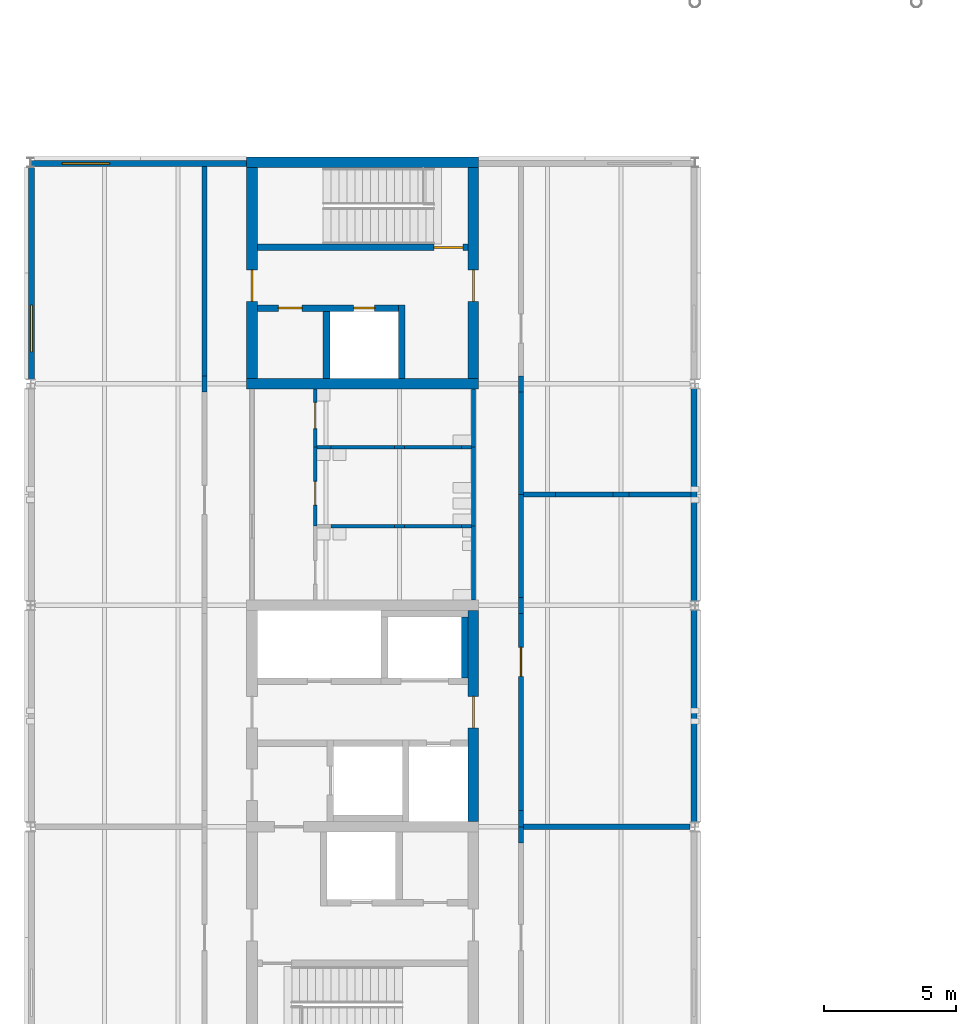
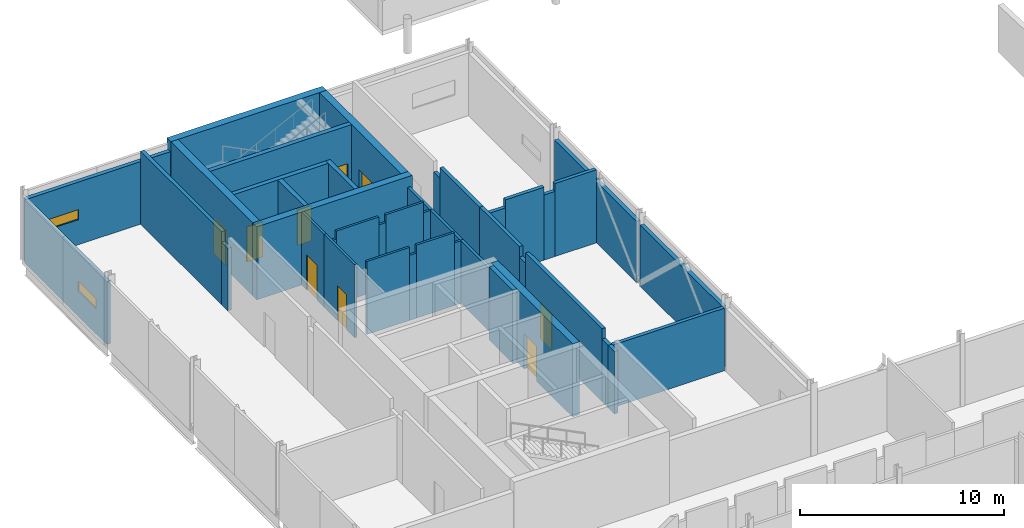
# One storey, part 42 of 72: 42 walls, 9 doors, 2 windows, 11 openings.
"""IFC4 building model written with IfcOpenShell, lengths in metres."""

from ifc_helpers import new_model, si_unit, direction, frame, frame_2d, origin, place, context, subcontext, project, spatial, rectangle, extrude, material, layer, layer_set, type_object, element, fill, save


model = new_model("IFC4")

# Units and contexts
model_context = context("Model", 3, precision=1e-05, world=origin(), true_north=direction((0.0, 1.0)))
body_context = subcontext(model_context, "Body", "Model", "MODEL_VIEW")
ifc_project = project(units=[si_unit("LENGTHUNIT", "METRE"), si_unit("AREAUNIT", "SQUARE_METRE"), si_unit("VOLUMEUNIT", "CUBIC_METRE"), si_unit("PLANEANGLEUNIT", "RADIAN"), si_unit("MASSUNIT", "GRAM", prefix="KILO")], contexts=[model_context])

# Site, building, storey
site_placement = place(None, origin())
site = spatial("IfcSite", under=ifc_project, at=site_placement, CompositionType="ELEMENT")
building_placement = place(site_placement, origin())
building = spatial("IfcBuilding", under=site, at=building_placement, Name="Hlaing Beacon Police Headquarters", CompositionType="ELEMENT")
storey_placement = place(building_placement, frame((0.0, 0.0, 14.39990234375)))
storey = spatial("IfcBuildingStorey", under=building, at=storey_placement, Name="L03", CompositionType="ELEMENT", Elevation=14.39990234375)

# Wall, opening, door
ifc_material_1 = material(Name="Concrete C60/75", Category="concrete")
ifc_layer_1 = layer(ifc_material_1, 0.39990234375)
ifc_layer_set_1 = layer_set([ifc_layer_1], Name="Concrete C60/75")
wall_type_1 = type_object("IfcWallType", Name="Core shear wall 400", PredefinedType="SHEAR", material=ifc_layer_set_1)
wall_1_placement = place(storey_placement, frame((25.199951171875, 42.199951171875, 0.0), z_axis=(0.0, 0.0, 1.0), x_axis=(0.0, 1.0, 0.0)))
wall_1 = element("IfcWall", 1, at=wall_1_placement, inside=storey, type_object=wall_type_1, Name="Core shear wall", PredefinedType="SHEAR", context=body_context, shape_type="SweptSolid", body=[
    extrude(rectangle(XDim=8.0, YDim=0.39990234375, at=frame_2d((4.0, 0.0))), origin(), (0.0, 0.0, 1.0), 4.3701171875),
])
opening_1_placement = place(wall_1_placement, frame((3.550048828125, 0.0, 0.0)))
opening_1 = element("IfcOpeningElement", 2, at=opening_1_placement, cuts=wall_1, Name="Opening L03-923", PredefinedType="OPENING", context=body_context, shape_type="SweptSolid", body=[
    extrude(rectangle(XDim=1.199951171875, YDim=2.10009765625, at=frame_2d((0.60009765625, 1.050048828125))), frame((0.0, 0.2099609375, 0.0), z_axis=(0.0, -1.0, 0.0), x_axis=(1.0, 0.0, 0.0)), (0.0, 0.0, 1.0), 0.419921875),
])
ifc_material_2 = material(Name="Steel fire door leaf", Category="steel")
ifc_layer_2 = layer(ifc_material_2, 0.070068359375)
ifc_layer_set_2 = layer_set([ifc_layer_2], Name="Steel fire door leaf")
door_type_1 = type_object("IfcDoorType", Name="Steel fire door FD60S 1200x2100", OperationType="SINGLE_SWING_LEFT", PredefinedType="DOOR", material=ifc_layer_set_2)
door_1_placement = place(opening_1_placement, origin())
door_1 = element("IfcDoor", 3, at=door_1_placement, inside=storey, type_object=door_type_1, Name="Door Lift Lobby Entry", OperationType="SINGLE_SWING_LEFT", OverallHeight=2.10009765625, OverallWidth=1.199951171875, PredefinedType="DOOR", context=body_context, shape_type="SweptSolid", body=[
    extrude(rectangle(XDim=1.199951171875, YDim=2.10009765625, at=frame_2d((0.60009765625, 1.050048828125))), frame((0.0, 0.03515625, 0.0), z_axis=(0.0, -1.0, 0.0), x_axis=(1.0, 0.0, 0.0)), (0.0, 0.0, 1.0), 0.070068359375),
])
fill(opening_1, door_1)

# Walls
for number, where, z_axis, x_axis, name in (
    (4, (16.60009765625, 58.800048828125, 0.0), (0.0, 0.0, 1.0), (1.0, 0.0, 0.0), "Core shear wall"),
    (5, (16.60009765625, 67.199951171875, 0.0), (0.0, 0.0, 1.0), (1.0, 0.0, 0.0), "Core shear wall"),
):
    element("IfcWall", number, at=place(storey_placement, frame(where, z_axis=z_axis, x_axis=x_axis)), inside=storey, type_object=wall_type_1, Name=name, PredefinedType="SHEAR", context=body_context, shape_type="SweptSolid", body=[
        extrude(rectangle(XDim=8.7998046875, YDim=0.39990234375, at=frame_2d((4.39990234375, 0.0))), origin(), (0.0, 0.0, 1.0), 4.3701171875),
    ])

# Wall, opening, door
wall_2_placement = place(storey_placement, frame((16.800048828125, 59.0, 0.0), z_axis=(0.0, 0.0, 1.0), x_axis=(0.0, 1.0, 0.0)))
wall_2 = element("IfcWall", 6, at=wall_2_placement, inside=storey, type_object=wall_type_1, Name="Core shear wall", PredefinedType="SHEAR", context=body_context, shape_type="SweptSolid", body=[
    extrude(rectangle(XDim=8.0, YDim=0.39990234375, at=frame_2d((4.0, 0.0))), origin(), (0.0, 0.0, 1.0), 4.3701171875),
])
opening_2_placement = place(wall_2_placement, frame((2.925048828125, 0.0, 0.0)))
opening_2 = element("IfcOpeningElement", 7, at=opening_2_placement, cuts=wall_2, Name="Opening L03-929", PredefinedType="OPENING", context=body_context, shape_type="SweptSolid", body=[
    extrude(rectangle(XDim=1.199951171875, YDim=2.10009765625, at=frame_2d((0.60009765625, 1.050048828125))), frame((0.0, 0.2099609375, 0.0), z_axis=(0.0, -1.0, 0.0), x_axis=(1.0, 0.0, 0.0)), (0.0, 0.0, 1.0), 0.419921875),
])
door_2_placement = place(opening_2_placement, frame((1.199951171875, 0.0, 0.0), z_axis=(0.0, 0.0, 1.0), x_axis=(-1.0, 0.0, 0.0)))
door_2 = element("IfcDoor", 8, at=door_2_placement, inside=storey, type_object=door_type_1, Name="Door Stair Lobby ST-P Entry", OperationType="SINGLE_SWING_LEFT", OverallHeight=2.10009765625, OverallWidth=1.199951171875, PredefinedType="DOOR", context=body_context, shape_type="SweptSolid", body=[
    extrude(rectangle(XDim=1.199951171875, YDim=2.10009765625, at=frame_2d((0.599853515625, 1.050048828125))), frame((0.0, 0.034912109375, 0.0), z_axis=(0.0, -1.0, 0.0), x_axis=(1.0, 0.0, 0.0)), (0.0, 0.0, 1.0), 0.070068359375),
])
fill(opening_2, door_2)

wall_3_placement = place(storey_placement, frame((25.199951171875, 59.0, 0.0), z_axis=(0.0, 0.0, 1.0), x_axis=(0.0, 1.0, 0.0)))
wall_3 = element("IfcWall", 9, at=wall_3_placement, inside=storey, type_object=wall_type_1, Name="Core shear wall", PredefinedType="SHEAR", context=body_context, shape_type="SweptSolid", body=[
    extrude(rectangle(XDim=8.0, YDim=0.39990234375, at=frame_2d((4.0, 0.0))), origin(), (0.0, 0.0, 1.0), 4.3701171875),
])
opening_3_placement = place(wall_3_placement, frame((2.925048828125, 0.0, 0.0)))
opening_3 = element("IfcOpeningElement", 10, at=opening_3_placement, cuts=wall_3, Name="Opening L03-930", PredefinedType="OPENING", context=body_context, shape_type="SweptSolid", body=[
    extrude(rectangle(XDim=1.199951171875, YDim=2.10009765625, at=frame_2d((0.60009765625, 1.050048828125))), frame((0.0, 0.2099609375, 0.0), z_axis=(0.0, -1.0, 0.0), x_axis=(1.0, 0.0, 0.0)), (0.0, 0.0, 1.0), 0.419921875),
])
door_3_placement = place(opening_3_placement, origin())
door_3 = element("IfcDoor", 11, at=door_3_placement, inside=storey, type_object=door_type_1, Name="Door Stair Lobby ST-P Entry", OperationType="SINGLE_SWING_RIGHT", OverallHeight=2.10009765625, OverallWidth=1.199951171875, PredefinedType="DOOR", context=body_context, shape_type="SweptSolid", body=[
    extrude(rectangle(XDim=1.199951171875, YDim=2.10009765625, at=frame_2d((0.60009765625, 1.050048828125))), frame((0.0, 0.03515625, 0.0), z_axis=(0.0, -1.0, 0.0), x_axis=(1.0, 0.0, 0.0)), (0.0, 0.0, 1.0), 0.070068359375),
])
fill(opening_3, door_3)

# Walls
ifc_material_3 = material(Name="Gypsum board partition")
ifc_layer_3 = layer(ifc_material_3, 0.14990234375)
ifc_layer_set_3 = layer_set([ifc_layer_3], Name="Gypsum board partition")
wall_type_2 = type_object("IfcWallType", Name="Corridor wall EI 30 150", PredefinedType="PARTITIONING", material=ifc_layer_set_3)
wall_4_placement = place(storey_placement, frame((25.199951171875, 56.39990234375, 0.0), z_axis=(0.0, 0.0, 1.0), x_axis=(0.0, 1.0, 0.0)))
element("IfcWall", 12, at=wall_4_placement, inside=storey, type_object=wall_type_2, Name="Corridor wall EI 30 150", PredefinedType="PARTITIONING", context=body_context, shape_type="SweptSolid", body=[
    extrude(rectangle(XDim=2.2001953125, YDim=0.14990234375, at=frame_2d((1.10009765625, 0.0))), origin(), (0.0, 0.0, 1.0), 3.74609375),
])
wall_5_placement = place(storey_placement, frame((25.199951171875, 53.39990234375, 0.0), z_axis=(0.0, 0.0, 1.0), x_axis=(0.0, 1.0, 0.0)))
element("IfcWall", 13, at=wall_5_placement, inside=storey, type_object=wall_type_2, Name="Corridor wall EI 30 150", PredefinedType="PARTITIONING", context=body_context, shape_type="SweptSolid", body=[
    extrude(rectangle(XDim=3.0, YDim=0.14990234375, at=frame_2d((1.5, 0.0))), origin(), (0.0, 0.0, 1.0), 3.74609375),
])
wall_6_placement = place(storey_placement, frame((25.199951171875, 50.60009765625, 0.0), z_axis=(0.0, 0.0, 1.0), x_axis=(0.0, 1.0, 0.0)))
element("IfcWall", 14, at=wall_6_placement, inside=storey, type_object=wall_type_2, Name="Corridor wall EI 30 150", PredefinedType="PARTITIONING", context=body_context, shape_type="SweptSolid", body=[
    extrude(rectangle(XDim=2.7998046875, YDim=0.14990234375, at=frame_2d((1.39990234375, 0.0))), origin(), (0.0, 0.0, 1.0), 3.74609375),
])
ifc_material_4 = material(Name="Concrete blockwork 7.5 N/mm2", Category="masonry")
ifc_layer_4 = layer(ifc_material_4, 0.199951171875)
ifc_layer_set_4 = layer_set([ifc_layer_4], Name="Concrete blockwork 7.5 N/mm2")
wall_type_3 = type_object("IfcWallType", Name="Laboratory wall EI 60 200", PredefinedType="PARTITIONING", material=ifc_layer_set_4)
for number, where, z_axis, x_axis, name in (
    (15, (27.0, 41.389892578125, 0.0), (0.0, 0.0, 1.0), (0.0, 1.0, 0.0), "Laboratory wall EI 60 200"),
    (16, (27.0, 42.0, 0.0), (0.0, 0.0, 1.0), (0.0, 1.0, 0.0), "Laboratory wall EI 60 200"),
):
    element("IfcWall", number, at=place(storey_placement, frame(where, z_axis=z_axis, x_axis=x_axis)), inside=storey, type_object=wall_type_3, Name=name, PredefinedType="PARTITIONING", context=body_context, shape_type="SweptSolid", body=[
        extrude(rectangle(XDim=0.610107421875, YDim=0.199951171875, at=frame_2d((0.30517578125, 0.0))), origin(), (0.0, 0.0, 1.0), 3.74609375),
    ])

# Wall, opening, door
wall_7_placement = place(storey_placement, frame((27.0, 42.610107421875, 0.0), z_axis=(0.0, 0.0, 1.0), x_axis=(0.0, 1.0, 0.0)))
wall_7 = element("IfcWall", 17, at=wall_7_placement, inside=storey, type_object=wall_type_3, Name="Laboratory wall EI 60 200", PredefinedType="PARTITIONING", context=body_context, shape_type="SweptSolid", body=[
    extrude(rectangle(XDim=7.48486328125, YDim=0.199951171875, at=frame_2d((3.742431640625, 0.0))), origin(), (0.0, 0.0, 1.0), 4.3701171875),
])
opening_4_placement = place(wall_7_placement, frame((5.090087890625, 0.0, 0.0)))
opening_4 = element("IfcOpeningElement", 18, at=opening_4_placement, cuts=wall_7, Name="Opening L03-024", PredefinedType="OPENING", context=body_context, shape_type="SweptSolid", body=[
    extrude(rectangle(XDim=1.10009765625, YDim=2.10009765625, at=frame_2d((0.550048828125, 1.050048828125))), frame((0.0, 0.10986328125, 0.0), z_axis=(0.0, -1.0, 0.0), x_axis=(1.0, 0.0, 0.0)), (0.0, 0.0, 1.0), 0.219970703125),
])
ifc_material_5 = material(Name="Hardwood door leaf", Category="wood")
ifc_layer_5 = layer(ifc_material_5, 0.050048828125)
ifc_layer_set_5 = layer_set([ifc_layer_5], Name="Hardwood door leaf")
door_type_2 = type_object("IfcDoorType", Name="Fire door FD30 1100x2100", OperationType="SINGLE_SWING_LEFT", PredefinedType="DOOR", material=ifc_layer_set_5)
door_4_placement = place(opening_4_placement, frame((1.10009765625, 0.0, 0.0), z_axis=(0.0, 0.0, 1.0), x_axis=(-1.0, 0.0, 0.0)))
door_4 = element("IfcDoor", 19, at=door_4_placement, inside=storey, type_object=door_type_2, Name="Door Fingerprint Laboratory", OperationType="SINGLE_SWING_LEFT", OverallHeight=2.10009765625, OverallWidth=1.10009765625, PredefinedType="DOOR", context=body_context, shape_type="SweptSolid", body=[
    extrude(rectangle(XDim=1.10009765625, YDim=2.10009765625, at=frame_2d((0.550048828125, 1.050048828125))), frame((0.0, 0.025146484375, 0.0), z_axis=(0.0, -1.0, 0.0), x_axis=(1.0, 0.0, 0.0)), (0.0, 0.0, 1.0), 0.050048828125),
])
fill(opening_4, door_4)

# Walls
wall_8_placement = place(storey_placement, frame((27.0, 50.094970703125, 0.0), z_axis=(0.0, 0.0, 1.0), x_axis=(0.0, 1.0, 0.0)))
element("IfcWall", 20, at=wall_8_placement, inside=storey, type_object=wall_type_3, Name="Laboratory wall EI 60 200", PredefinedType="PARTITIONING", context=body_context, shape_type="SweptSolid", body=[
    extrude(rectangle(XDim=0.610107421875, YDim=0.199951171875, at=frame_2d((0.30517578125, 0.0))), origin(), (0.0, 0.0, 1.0), 3.74609375),
])
for number, where, z_axis, x_axis, name in (
    (21, (27.0, 50.705078125, 0.0), (0.0, 0.0, 1.0), (0.0, 1.0, 0.0), "Laboratory wall EI 60 200"),
    (22, (27.0, 54.60009765625, 0.0), (0.0, 0.0, 1.0), (0.0, 1.0, 0.0), "Laboratory wall EI 60 200"),
):
    element("IfcWall", number, at=place(storey_placement, frame(where, z_axis=z_axis, x_axis=x_axis)), inside=storey, type_object=wall_type_3, Name=name, PredefinedType="PARTITIONING", context=body_context, shape_type="SweptSolid", body=[
        extrude(rectangle(XDim=3.89501953125, YDim=0.199951171875, at=frame_2d((1.947509765625, 0.0))), origin(), (0.0, 0.0, 1.0), 4.3701171875),
    ])
for number, where, z_axis, x_axis, name in (
    (23, (27.0, 58.4951171875, 0.0), (0.0, 0.0, 1.0), (0.0, 1.0, 0.0), "Laboratory wall EI 60 200"),
    (24, (15.0, 58.4951171875, 0.0), (0.0, 0.0, 1.0), (0.0, 1.0, 0.0), "Laboratory wall EI 60 200"),
):
    element("IfcWall", number, at=place(storey_placement, frame(where, z_axis=z_axis, x_axis=x_axis)), inside=storey, type_object=wall_type_3, Name=name, PredefinedType="PARTITIONING", context=body_context, shape_type="SweptSolid", body=[
        extrude(rectangle(XDim=0.60986328125, YDim=0.199951171875, at=frame_2d((0.304931640625, 0.0))), origin(), (0.0, 0.0, 1.0), 3.74609375),
    ])
wall_9_placement = place(storey_placement, frame((15.0, 59.10498046875, 0.0), z_axis=(0.0, 0.0, 1.0), x_axis=(0.0, 1.0, 0.0)))
element("IfcWall", 25, at=wall_9_placement, inside=storey, type_object=wall_type_3, Name="Laboratory wall EI 60 200", PredefinedType="PARTITIONING", context=body_context, shape_type="SweptSolid", body=[
    extrude(rectangle(XDim=7.945068359375, YDim=0.199951171875, at=frame_2d((3.97265625, 0.0))), origin(), (0.0, 0.0, 1.0), 4.3701171875),
])
wall_10_placement = place(storey_placement, frame((27.10009765625, 42.0, 0.0), z_axis=(0.0, 0.0, 1.0), x_axis=(1.0, 0.0, 0.0)))
element("IfcWall", 26, at=wall_10_placement, inside=storey, type_object=wall_type_3, Name="Laboratory wall EI 60 200", PredefinedType="PARTITIONING", context=body_context, shape_type="SweptSolid", body=[
    extrude(rectangle(XDim=6.31494140625, YDim=0.199951171875, at=frame_2d((3.157470703125, 0.0))), origin(), (0.0, 0.0, 1.0), 3.74609375),
])
wall_11_placement = place(storey_placement, frame((27.10009765625, 54.60009765625, 0.0), z_axis=(0.0, 0.0, 1.0), x_axis=(1.0, 0.0, 0.0)))
element("IfcWall", 27, at=wall_11_placement, inside=storey, type_object=wall_type_3, Name="Laboratory wall EI 60 200", PredefinedType="PARTITIONING", context=body_context, shape_type="SweptSolid", body=[
    extrude(rectangle(XDim=1.204833984375, YDim=0.199951171875, at=frame_2d((0.6025390625, 0.0))), origin(), (0.0, 0.0, 1.0), 3.89501953125),
])
wall_12_placement = place(storey_placement, frame((28.304931640625, 54.60009765625, 0.0), z_axis=(0.0, 0.0, 1.0), x_axis=(1.0, 0.0, 0.0)))
element("IfcWall", 28, at=wall_12_placement, inside=storey, type_object=wall_type_3, Name="Laboratory wall EI 60 200", PredefinedType="PARTITIONING", context=body_context, shape_type="SweptSolid", body=[
    extrude(rectangle(XDim=2.190185546875, YDim=0.199951171875, at=frame_2d((1.09521484375, 0.0))), origin(), (0.0, 0.0, 1.0), 4.3701171875),
])
wall_13_placement = place(storey_placement, frame((30.4951171875, 54.60009765625, 0.0), z_axis=(0.0, 0.0, 1.0), x_axis=(1.0, 0.0, 0.0)))
element("IfcWall", 29, at=wall_13_placement, inside=storey, type_object=wall_type_3, Name="Laboratory wall EI 60 200", PredefinedType="PARTITIONING", context=body_context, shape_type="SweptSolid", body=[
    extrude(rectangle(XDim=0.60986328125, YDim=0.199951171875, at=frame_2d((0.304931640625, 0.0))), origin(), (0.0, 0.0, 1.0), 3.89501953125),
])
wall_14_placement = place(storey_placement, frame((31.10498046875, 54.60009765625, 0.0), z_axis=(0.0, 0.0, 1.0), x_axis=(1.0, 0.0, 0.0)))
element("IfcWall", 30, at=wall_14_placement, inside=storey, type_object=wall_type_3, Name="Laboratory wall EI 60 200", PredefinedType="PARTITIONING", context=body_context, shape_type="SweptSolid", body=[
    extrude(rectangle(XDim=2.344970703125, YDim=0.199951171875, at=frame_2d((1.17236328125, 0.0))), origin(), (0.0, 0.0, 1.0), 4.3701171875),
])
ifc_material_6 = material(Name="Gypsum board partition")
ifc_layer_6 = layer(ifc_material_6, 0.125)
ifc_layer_set_6 = layer_set([ifc_layer_6], Name="Gypsum board partition")
wall_type_4 = type_object("IfcWallType", Name="Partition 125", PredefinedType="PARTITIONING", material=ifc_layer_set_6)
wall_15_placement = place(storey_placement, frame((19.261962890625, 56.39990234375, 0.0), z_axis=(0.0, 0.0, 1.0), x_axis=(1.0, 0.0, 0.0)))
element("IfcWall", 31, at=wall_15_placement, inside=storey, type_object=wall_type_4, Name="Partition 125", PredefinedType="PARTITIONING", context=body_context, shape_type="SweptSolid", body=[
    extrude(rectangle(XDim=0.531005859375, YDim=0.125, at=frame_2d((0.265625, 0.0))), origin(), (0.0, 0.0, 1.0), 3.89501953125),
])
wall_16_placement = place(storey_placement, frame((19.79296875, 56.39990234375, 0.0), z_axis=(0.0, 0.0, 1.0), x_axis=(1.0, 0.0, 0.0)))
element("IfcWall", 32, at=wall_16_placement, inside=storey, type_object=wall_type_4, Name="Partition 125", PredefinedType="PARTITIONING", context=body_context, shape_type="SweptSolid", body=[
    extrude(rectangle(XDim=2.4140625, YDim=0.125, at=frame_2d((1.20703125, 0.0))), origin(), (0.0, 0.0, 1.0), 4.3701171875),
])
wall_17_placement = place(storey_placement, frame((22.20703125, 56.39990234375, 0.0), z_axis=(0.0, 0.0, 1.0), x_axis=(1.0, 0.0, 0.0)))
element("IfcWall", 33, at=wall_17_placement, inside=storey, type_object=wall_type_4, Name="Partition 125", PredefinedType="PARTITIONING", context=body_context, shape_type="SweptSolid", body=[
    extrude(rectangle(XDim=0.385009765625, YDim=0.125, at=frame_2d((0.1923828125, 0.0))), origin(), (0.0, 0.0, 1.0), 3.89501953125),
])
wall_18_placement = place(storey_placement, frame((22.592041015625, 56.39990234375, 0.0), z_axis=(0.0, 0.0, 1.0), x_axis=(1.0, 0.0, 0.0)))
element("IfcWall", 34, at=wall_18_placement, inside=storey, type_object=wall_type_4, Name="Partition 125", PredefinedType="PARTITIONING", context=body_context, shape_type="SweptSolid", body=[
    extrude(rectangle(XDim=2.14794921875, YDim=0.125, at=frame_2d((1.073974609375, 0.0))), origin(), (0.0, 0.0, 1.0), 4.3701171875),
])
wall_19_placement = place(storey_placement, frame((24.739990234375, 56.39990234375, 0.0), z_axis=(0.0, 0.0, 1.0), x_axis=(1.0, 0.0, 0.0)))
element("IfcWall", 35, at=wall_19_placement, inside=storey, type_object=wall_type_4, Name="Partition 125", PredefinedType="PARTITIONING", context=body_context, shape_type="SweptSolid", body=[
    extrude(rectangle(XDim=0.385009765625, YDim=0.125, at=frame_2d((0.1923828125, 0.0))), origin(), (0.0, 0.0, 1.0), 3.74609375),
])

# Wall, opening, door
wall_20_placement = place(storey_placement, frame((19.199951171875, 56.39990234375, 0.0), z_axis=(0.0, 0.0, 1.0), x_axis=(0.0, 1.0, 0.0)))
wall_20 = element("IfcWall", 36, at=wall_20_placement, inside=storey, type_object=wall_type_4, Name="Partition 125", PredefinedType="PARTITIONING", context=body_context, shape_type="SweptSolid", body=[
    extrude(rectangle(XDim=2.2001953125, YDim=0.125, at=frame_2d((1.10009765625, 0.0))), origin(), (0.0, 0.0, 1.0), 4.3701171875),
])
opening_5_placement = place(wall_20_placement, frame((0.699951171875, 0.0, 0.0)))
opening_5 = element("IfcOpeningElement", 37, at=opening_5_placement, cuts=wall_20, Name="Opening L03-026", PredefinedType="OPENING", context=body_context, shape_type="SweptSolid", body=[
    extrude(rectangle(XDim=1.0, YDim=2.10009765625, at=frame_2d((0.5, 1.050048828125))), frame((0.0, 0.072509765625, 0.0), z_axis=(0.0, -1.0, 0.0), x_axis=(1.0, 0.0, 0.0)), (0.0, 0.0, 1.0), 0.14501953125),
])
ifc_material_7 = material(Name="Hardwood door leaf", Category="wood")
ifc_layer_7 = layer(ifc_material_7, 0.0400390625)
ifc_layer_set_7 = layer_set([ifc_layer_7], Name="Hardwood door leaf")
door_type_3 = type_object("IfcDoorType", Name="Door 1000x2100", OperationType="SINGLE_SWING_LEFT", PredefinedType="DOOR", material=ifc_layer_set_7)
door_5_placement = place(opening_5_placement, frame((1.0, 0.0, 0.0), z_axis=(0.0, 0.0, 1.0), x_axis=(-1.0, 0.0, 0.0)))
door_5 = element("IfcDoor", 38, at=door_5_placement, inside=storey, type_object=door_type_3, Name="Door Accessible WC", OperationType="SINGLE_SWING_LEFT", OverallHeight=2.10009765625, OverallWidth=1.0, PredefinedType="DOOR", context=body_context, shape_type="SweptSolid", body=[
    extrude(rectangle(XDim=1.0, YDim=2.10009765625, at=frame_2d((0.5, 1.050048828125))), frame((0.0, 0.02001953125, 0.0), z_axis=(0.0, -1.0, 0.0), x_axis=(1.0, 0.0, 0.0)), (0.0, 0.0, 1.0), 0.0400390625),
])
fill(opening_5, door_5)

wall_21_placement = place(storey_placement, frame((19.199951171875, 53.39990234375, 0.0), z_axis=(0.0, 0.0, 1.0), x_axis=(0.0, 1.0, 0.0)))
wall_21 = element("IfcWall", 39, at=wall_21_placement, inside=storey, type_object=wall_type_4, Name="Partition 125", PredefinedType="PARTITIONING", context=body_context, shape_type="SweptSolid", body=[
    extrude(rectangle(XDim=3.0, YDim=0.125, at=frame_2d((1.5, 0.0))), origin(), (0.0, 0.0, 1.0), 4.3701171875),
])
opening_6_placement = place(wall_21_placement, frame((0.800048828125, 0.0, 0.0)))
opening_6 = element("IfcOpeningElement", 40, at=opening_6_placement, cuts=wall_21, Name="Opening L03-027", PredefinedType="OPENING", context=body_context, shape_type="SweptSolid", body=[
    extrude(rectangle(XDim=0.89990234375, YDim=2.10009765625, at=frame_2d((0.449951171875, 1.050048828125))), frame((0.0, 0.072509765625, 0.0), z_axis=(0.0, -1.0, 0.0), x_axis=(1.0, 0.0, 0.0)), (0.0, 0.0, 1.0), 0.14501953125),
])
ifc_material_8 = material(Name="Hardwood door leaf", Category="wood")
ifc_layer_8 = layer(ifc_material_8, 0.0400390625)
ifc_layer_set_8 = layer_set([ifc_layer_8], Name="Hardwood door leaf")
door_type_4 = type_object("IfcDoorType", Name="Door 900x2100", OperationType="SINGLE_SWING_LEFT", PredefinedType="DOOR", material=ifc_layer_set_8)
door_6_placement = place(opening_6_placement, frame((0.89990234375, 0.0, 0.0), z_axis=(0.0, 0.0, 1.0), x_axis=(-1.0, 0.0, 0.0)))
door_6 = element("IfcDoor", 41, at=door_6_placement, inside=storey, type_object=door_type_4, Name="Door Female WC", OperationType="SINGLE_SWING_LEFT", OverallHeight=2.10009765625, OverallWidth=0.89990234375, PredefinedType="DOOR", context=body_context, shape_type="SweptSolid", body=[
    extrude(rectangle(XDim=0.89990234375, YDim=2.10009765625, at=frame_2d((0.449951171875, 1.050048828125))), frame((0.0, 0.02001953125, 0.0), z_axis=(0.0, -1.0, 0.0), x_axis=(1.0, 0.0, 0.0)), (0.0, 0.0, 1.0), 0.0400390625),
])
fill(opening_6, door_6)

# Walls
wall_22_placement = place(storey_placement, frame((19.79296875, 53.39990234375, 0.0), z_axis=(0.0, 0.0, 1.0), x_axis=(1.0, 0.0, 0.0)))
element("IfcWall", 42, at=wall_22_placement, inside=storey, type_object=wall_type_4, Name="Partition 125", PredefinedType="PARTITIONING", context=body_context, shape_type="SweptSolid", body=[
    extrude(rectangle(XDim=2.4140625, YDim=0.125, at=frame_2d((1.20703125, 0.0))), origin(), (0.0, 0.0, 1.0), 4.3701171875),
])
wall_23_placement = place(storey_placement, frame((22.20703125, 53.39990234375, 0.0), z_axis=(0.0, 0.0, 1.0), x_axis=(1.0, 0.0, 0.0)))
element("IfcWall", 43, at=wall_23_placement, inside=storey, type_object=wall_type_4, Name="Partition 125", PredefinedType="PARTITIONING", context=body_context, shape_type="SweptSolid", body=[
    extrude(rectangle(XDim=0.385009765625, YDim=0.125, at=frame_2d((0.1923828125, 0.0))), origin(), (0.0, 0.0, 1.0), 3.89501953125),
])
wall_24_placement = place(storey_placement, frame((22.592041015625, 53.39990234375, 0.0), z_axis=(0.0, 0.0, 1.0), x_axis=(1.0, 0.0, 0.0)))
element("IfcWall", 44, at=wall_24_placement, inside=storey, type_object=wall_type_4, Name="Partition 125", PredefinedType="PARTITIONING", context=body_context, shape_type="SweptSolid", body=[
    extrude(rectangle(XDim=2.14794921875, YDim=0.125, at=frame_2d((1.073974609375, 0.0))), origin(), (0.0, 0.0, 1.0), 4.3701171875),
])
wall_25_placement = place(storey_placement, frame((24.739990234375, 53.39990234375, 0.0), z_axis=(0.0, 0.0, 1.0), x_axis=(1.0, 0.0, 0.0)))
element("IfcWall", 45, at=wall_25_placement, inside=storey, type_object=wall_type_4, Name="Partition 125", PredefinedType="PARTITIONING", context=body_context, shape_type="SweptSolid", body=[
    extrude(rectangle(XDim=0.385009765625, YDim=0.125, at=frame_2d((0.1923828125, 0.0))), origin(), (0.0, 0.0, 1.0), 3.74609375),
])
ifc_material_9 = material(Name="Fibre cement ribbed cladding on insulated frame")
ifc_layer_9 = layer(ifc_material_9, 0.22509765625)
ifc_layer_set_9 = layer_set([ifc_layer_9], Name="Fibre cement ribbed cladding on insulated frame")
wall_type_5 = type_object("IfcWallType", Name="Ribbed fibre-cement clad wall 225", PredefinedType="SOLIDWALL", material=ifc_layer_set_9)
for number, where, z_axis, x_axis, name in (
    (46, (33.5625, 42.169921875, 0.0), (0.0, 0.0, 1.0), (0.0, 1.0, 0.0), "External wall L03 E013"),
    (47, (33.5625, 50.56982421875, 0.0), (0.0, 0.0, 1.0), (0.0, 1.0, 0.0), "External wall L03 E014"),
):
    element("IfcWall", number, at=place(storey_placement, frame(where, z_axis=z_axis, x_axis=x_axis)), inside=storey, type_object=wall_type_5, Name=name, PredefinedType="SOLIDWALL", context=body_context, shape_type="SweptSolid", body=[
        extrude(rectangle(XDim=8.060302734375, YDim=0.22509765625, at=frame_2d((4.0302734375, 0.0))), origin(), (0.0, 0.0, 1.0), 3.662109375),
    ])

# Wall, opening, window
wall_26_placement = place(storey_placement, frame((16.60009765625, 67.16259765625, 0.0), z_axis=(0.0, 0.0, 1.0), x_axis=(-1.0, 0.0, 0.0)))
wall_26 = element("IfcWall", 48, at=wall_26_placement, inside=storey, type_object=wall_type_5, Name="External wall L03 N017", PredefinedType="SOLIDWALL", context=body_context, shape_type="SweptSolid", body=[
    extrude(rectangle(XDim=8.1953125, YDim=0.22509765625, at=frame_2d((4.09765625, 0.0))), origin(), (0.0, 0.0, 1.0), 3.74609375),
])
opening_7_placement = place(wall_26_placement, frame((5.199951171875, 0.0, 1.5)))
opening_7 = element("IfcOpeningElement", 49, at=opening_7_placement, cuts=wall_26, Name="Opening WN19", PredefinedType="OPENING", context=body_context, shape_type="SweptSolid", body=[
    extrude(rectangle(XDim=1.800048828125, YDim=0.60009765625, at=frame_2d((0.89990234375, 0.300048828125))), frame((0.0, 0.12255859375, 0.0), z_axis=(0.0, -1.0, 0.0), x_axis=(1.0, 0.0, 0.0)), (0.0, 0.0, 1.0), 0.2451171875),
])
ifc_material_10 = material(Name="Aluminium frame with solar control glazing", Category="aluminium")
window_type_1 = type_object("IfcWindowType", Name="Strip window 1800x600 frame 60", PartitioningType="SINGLE_PANEL", PredefinedType="WINDOW", material=ifc_material_10)
window_1_placement = place(opening_7_placement, origin())
window_1 = element("IfcWindow", 50, at=window_1_placement, inside=storey, type_object=window_type_1, Name="Window L03 WJ", OverallHeight=0.60009765625, OverallWidth=1.800048828125, PartitioningType="SINGLE_PANEL", PredefinedType="WINDOW", context=body_context, shape_type="SweptSolid", body=[
    extrude(rectangle(XDim=1.800048828125, YDim=0.60009765625, at=frame_2d((0.89990234375, 0.300048828125))), frame((0.0, 0.030029296875, 0.0), z_axis=(0.0, -1.0, 0.0), x_axis=(1.0, 0.0, 0.0)), (0.0, 0.0, 1.0), 0.06005859375),
])
fill(opening_7, window_1)

wall_27_placement = place(storey_placement, frame((8.4375, 67.030517578125, 0.0), z_axis=(0.0, 0.0, 1.0), x_axis=(0.0, -1.0, 0.0)))
wall_27 = element("IfcWall", 51, at=wall_27_placement, inside=storey, type_object=wall_type_5, Name="External wall L03 W018", PredefinedType="SOLIDWALL", context=body_context, shape_type="SweptSolid", body=[
    extrude(rectangle(XDim=8.060791015625, YDim=0.22509765625, at=frame_2d((4.0302734375, 0.0))), origin(), (0.0, 0.0, 1.0), 3.74609375),
])
opening_8_placement = place(wall_27_placement, frame((5.23046875, 0.0, 1.5)))
opening_8 = element("IfcOpeningElement", 52, at=opening_8_placement, cuts=wall_27, Name="Opening WN14", PredefinedType="OPENING", context=body_context, shape_type="SweptSolid", body=[
    extrude(rectangle(XDim=1.800048828125, YDim=0.60009765625, at=frame_2d((0.89990234375, 0.300048828125))), frame((0.0, 0.12255859375, 0.0), z_axis=(0.0, -1.0, 0.0), x_axis=(1.0, 0.0, 0.0)), (0.0, 0.0, 1.0), 0.2451171875),
])
ifc_material_11 = material(Name="Aluminium frame with solar control glazing", Category="aluminium")
window_type_2 = type_object("IfcWindowType", Name="Strip window 1800x600 frame 80", PartitioningType="SINGLE_PANEL", PredefinedType="WINDOW", material=ifc_material_11)
window_2_placement = place(opening_8_placement, origin())
window_2 = element("IfcWindow", 53, at=window_2_placement, inside=storey, type_object=window_type_2, Name="Window L03 WJ", OverallHeight=0.60009765625, OverallWidth=1.800048828125, PartitioningType="SINGLE_PANEL", PredefinedType="WINDOW", context=body_context, shape_type="SweptSolid", body=[
    extrude(rectangle(XDim=1.800048828125, YDim=0.60009765625, at=frame_2d((0.89990234375, 0.300048828125))), frame((0.0, 0.0400390625, 0.0), z_axis=(0.0, -1.0, 0.0), x_axis=(1.0, 0.0, 0.0)), (0.0, 0.0, 1.0), 0.080078125),
])
fill(opening_8, window_2)

# Wall, opening, door
ifc_material_12 = material(Name="Concrete C40/50", Category="concrete")
ifc_layer_10 = layer(ifc_material_12, 0.25)
ifc_layer_set_10 = layer_set([ifc_layer_10], Name="Concrete C40/50")
wall_type_6 = type_object("IfcWallType", Name="Shaft wall 250", PredefinedType="SOLIDWALL", material=ifc_layer_set_10)
wall_28_placement = place(storey_placement, frame((25.0, 63.97509765625, 0.0), z_axis=(0.0, 0.0, 1.0), x_axis=(-1.0, 0.0, 0.0)))
wall_28 = element("IfcWall", 54, at=wall_28_placement, inside=storey, type_object=wall_type_6, Name="Stair enclosure wall", PredefinedType="SOLIDWALL", context=body_context, shape_type="SweptSolid", body=[
    extrude(rectangle(XDim=8.0, YDim=0.25, at=frame_2d((4.0, 0.0))), origin(), (0.0, 0.0, 1.0), 4.3701171875),
])
opening_9_placement = place(wall_28_placement, frame((0.199951171875, 0.0, 0.0)))
opening_9 = element("IfcOpeningElement", 55, at=opening_9_placement, cuts=wall_28, Name="Opening L03-932", PredefinedType="OPENING", context=body_context, shape_type="SweptSolid", body=[
    extrude(rectangle(XDim=1.10009765625, YDim=2.10009765625, at=frame_2d((0.550048828125, 1.050048828125))), frame((0.0, 0.135009765625, 0.0), z_axis=(0.0, -1.0, 0.0), x_axis=(1.0, 0.0, 0.0)), (0.0, 0.0, 1.0), 0.27001953125),
])
ifc_material_13 = material(Name="Steel fire door leaf", Category="steel")
ifc_layer_11 = layer(ifc_material_13, 0.070068359375)
ifc_layer_set_11 = layer_set([ifc_layer_11], Name="Steel fire door leaf")
door_type_5 = type_object("IfcDoorType", Name="Steel fire door FD60 1100x2100", OperationType="SINGLE_SWING_LEFT", PredefinedType="DOOR", material=ifc_layer_set_11)
door_7_placement = place(opening_9_placement, frame((1.10009765625, 0.0, 0.0), z_axis=(0.0, 0.0, 1.0), x_axis=(-1.0, 0.0, 0.0)))
door_7 = element("IfcDoor", 56, at=door_7_placement, inside=storey, type_object=door_type_5, Name="Door Stair ST-P", OperationType="SINGLE_SWING_LEFT", OverallHeight=2.10009765625, OverallWidth=1.10009765625, PredefinedType="DOOR", context=body_context, shape_type="SweptSolid", body=[
    extrude(rectangle(XDim=1.10009765625, YDim=2.10009765625, at=frame_2d((0.550048828125, 1.050048828125))), frame((0.0, 0.034912109375, 0.0), z_axis=(0.0, -1.0, 0.0), x_axis=(1.0, 0.0, 0.0)), (0.0, 0.0, 1.0), 0.070068359375),
])
fill(opening_9, door_7)

# Wall
wall_29_placement = place(storey_placement, frame((22.47509765625, 61.800048828125, 0.0), z_axis=(0.0, 0.0, 1.0), x_axis=(0.0, -1.0, 0.0)))
element("IfcWall", 57, at=wall_29_placement, inside=storey, type_object=wall_type_6, Name="Lobby wall", PredefinedType="SOLIDWALL", context=body_context, shape_type="SweptSolid", body=[
    extrude(rectangle(XDim=2.800048828125, YDim=0.25, at=frame_2d((1.39990234375, 0.0))), origin(), (0.0, 0.0, 1.0), 4.3701171875),
])

# Wall, openings, doors
wall_30_placement = place(storey_placement, frame((22.35009765625, 61.675048828125, 0.0), z_axis=(0.0, 0.0, 1.0), x_axis=(-1.0, 0.0, 0.0)))
wall_30 = element("IfcWall", 58, at=wall_30_placement, inside=storey, type_object=wall_type_6, Name="Lobby wall", PredefinedType="SOLIDWALL", context=body_context, shape_type="SweptSolid", body=[
    extrude(rectangle(XDim=5.35009765625, YDim=0.25, at=frame_2d((2.675048828125, 0.0))), origin(), (0.0, 0.0, 1.0), 4.3701171875),
])
opening_10_placement = place(wall_30_placement, frame((3.64990234375, 0.0, 0.0)))
opening_10 = element("IfcOpeningElement", 59, at=opening_10_placement, cuts=wall_30, Name="Opening L03-928", PredefinedType="OPENING", context=body_context, shape_type="SweptSolid", body=[
    extrude(rectangle(XDim=0.89990234375, YDim=2.10009765625, at=frame_2d((0.449951171875, 1.050048828125))), frame((0.0, 0.135009765625, 0.0), z_axis=(0.0, -1.0, 0.0), x_axis=(1.0, 0.0, 0.0)), (0.0, 0.0, 1.0), 0.27001953125),
])
opening_11_placement = place(wall_30_placement, frame((0.89990234375, 0.0, 0.0)))
opening_11 = element("IfcOpeningElement", 60, at=opening_11_placement, cuts=wall_30, Name="Opening L03-931", PredefinedType="OPENING", context=body_context, shape_type="SweptSolid", body=[
    extrude(rectangle(XDim=0.800048828125, YDim=2.10009765625, at=frame_2d((0.39990234375, 1.050048828125))), frame((0.0, 0.135009765625, 0.0), z_axis=(0.0, -1.0, 0.0), x_axis=(1.0, 0.0, 0.0)), (0.0, 0.0, 1.0), 0.27001953125),
])
ifc_material_14 = material(Name="Steel fire door leaf", Category="steel")
ifc_layer_12 = layer(ifc_material_14, 0.070068359375)
ifc_layer_set_12 = layer_set([ifc_layer_12], Name="Steel fire door leaf")
door_type_6 = type_object("IfcDoorType", Name="Steel fire door FD60 800x2100", OperationType="SINGLE_SWING_LEFT", PredefinedType="DOOR", material=ifc_layer_set_12)
door_8_placement = place(opening_11_placement, origin())
door_8 = element("IfcDoor", 61, at=door_8_placement, inside=storey, type_object=door_type_6, Name="Door Services Riser", OperationType="SINGLE_SWING_RIGHT", OverallHeight=2.10009765625, OverallWidth=0.800048828125, PredefinedType="DOOR", context=body_context, shape_type="SweptSolid", body=[
    extrude(rectangle(XDim=0.800048828125, YDim=2.10009765625, at=frame_2d((0.39990234375, 1.050048828125))), frame((0.0, 0.03515625, 0.0), z_axis=(0.0, -1.0, 0.0), x_axis=(1.0, 0.0, 0.0)), (0.0, 0.0, 1.0), 0.070068359375),
])
fill(opening_11, door_8)
ifc_material_15 = material(Name="Steel fire door leaf", Category="steel")
ifc_layer_13 = layer(ifc_material_15, 0.070068359375)
ifc_layer_set_13 = layer_set([ifc_layer_13], Name="Steel fire door leaf")
door_type_7 = type_object("IfcDoorType", Name="Steel fire door FD60 900x2100", OperationType="SINGLE_SWING_LEFT", PredefinedType="DOOR", material=ifc_layer_set_13)
door_9_placement = place(opening_10_placement, origin())
door_9 = element("IfcDoor", 62, at=door_9_placement, inside=storey, type_object=door_type_7, Name="Door Cleaners' Store", OperationType="SINGLE_SWING_LEFT", OverallHeight=2.10009765625, OverallWidth=0.89990234375, PredefinedType="DOOR", context=body_context, shape_type="SweptSolid", body=[
    extrude(rectangle(XDim=0.89990234375, YDim=2.10009765625, at=frame_2d((0.449951171875, 1.050048828125))), frame((0.0, 0.03515625, 0.0), z_axis=(0.0, -1.0, 0.0), x_axis=(1.0, 0.0, 0.0)), (0.0, 0.0, 1.0), 0.070068359375),
])
fill(opening_10, door_9)

# Walls
wall_31_placement = place(storey_placement, frame((19.625, 61.550048828125, 0.0), z_axis=(0.0, 0.0, 1.0), x_axis=(0.0, -1.0, 0.0)))
element("IfcWall", 63, at=wall_31_placement, inside=storey, type_object=wall_type_6, Name="Riser wall", PredefinedType="SOLIDWALL", context=body_context, shape_type="SweptSolid", body=[
    extrude(rectangle(XDim=2.550048828125, YDim=0.25, at=frame_2d((1.27490234375, 0.0))), origin(), (0.0, 0.0, 1.0), 4.3701171875),
])
wall_32_placement = place(storey_placement, frame((24.875, 47.64990234375, 0.0), z_axis=(0.0, 0.0, 1.0), x_axis=(0.0, 1.0, 0.0)))
element("IfcWall", 64, at=wall_32_placement, inside=storey, type_object=wall_type_6, Name="Lift shaft wall EL1", PredefinedType="SOLIDWALL", context=body_context, shape_type="SweptSolid", body=[
    extrude(rectangle(XDim=2.300048828125, YDim=0.25, at=frame_2d((1.14990234375, 0.0))), origin(), (0.0, 0.0, 1.0), 4.3701171875),
])

save(model, "model.ifc")
